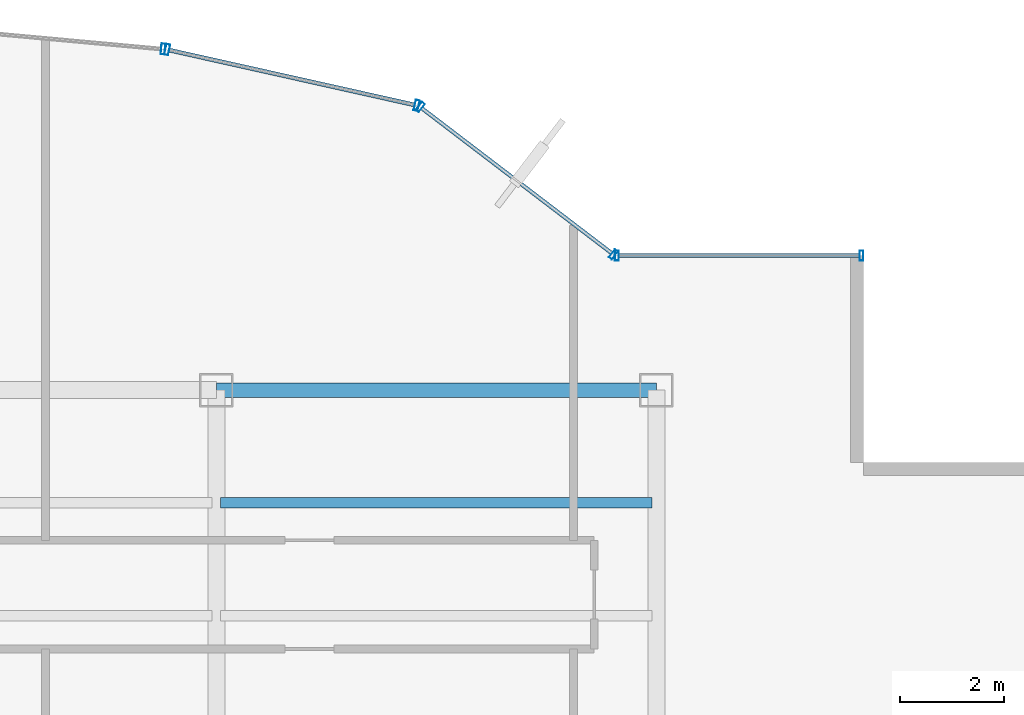
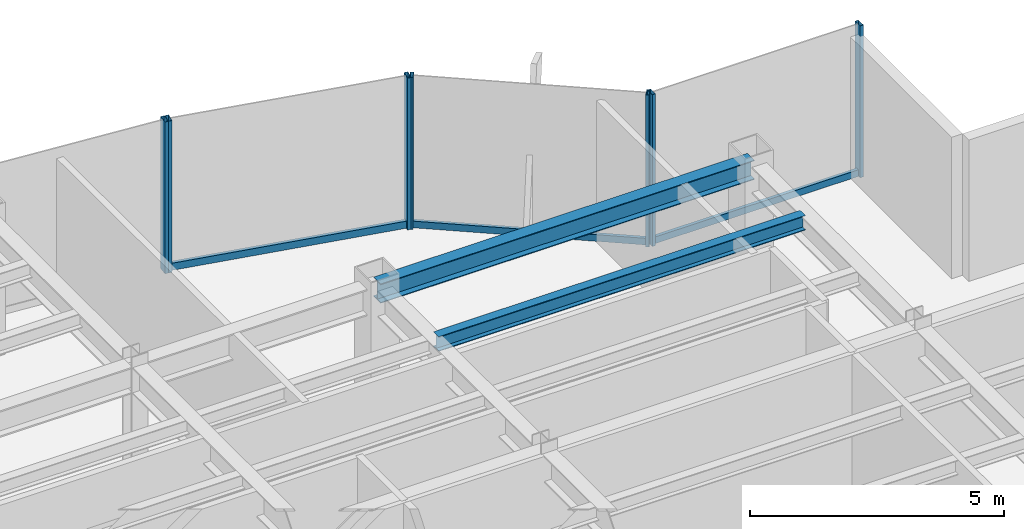
# One storey, part 17 of 25: 10 members, 2 beams, 4 elements without a shape of their own.
"""IFC4 building model written with IfcOpenShell, lengths in metres."""

from ifc_helpers import new_model, si_unit, derived_unit, direction, frame, origin, origin_2d, place, context, subcontext, project, spatial, hollow_rectangle, i_section, extrude, source, transform, mapped, material, material_profile, profile_set, type_object, element, aggregate, save


model = new_model("IFC4")

# Units and contexts
model_context = context("Model", 3, precision=1e-05, world=origin(), true_north=direction((0.0, 1.0)))
body_context = subcontext(model_context, "Body", "Model", "MODEL_VIEW")
ifc_project = project(units=[si_unit("LENGTHUNIT", "METRE"), si_unit("AREAUNIT", "SQUARE_METRE"), si_unit("VOLUMEUNIT", "CUBIC_METRE"), si_unit("PLANEANGLEUNIT", "RADIAN"), si_unit("MASSUNIT", "GRAM", prefix="KILO"), derived_unit("THERMALTRANSMITTANCEUNIT", [(si_unit("POWERUNIT", "WATT"), 1), (si_unit("LENGTHUNIT", "METRE"), -2), (si_unit("THERMODYNAMICTEMPERATUREUNIT", "KELVIN"), -1)])], contexts=[model_context])

# Site, building, storey
site_placement = place(None, origin())
site = spatial("IfcSite", under=ifc_project, at=site_placement, CompositionType="ELEMENT")
building_placement = place(site_placement, origin())
building = spatial("IfcBuilding", under=site, at=building_placement, Name="Skarnbrae Concourse Arena and Tower", CompositionType="ELEMENT")
storey_placement = place(building_placement, frame((0.0, 0.0, 158.85009765625)))
storey = spatial("IfcBuildingStorey", under=building, at=storey_placement, Name="L40", CompositionType="ELEMENT", Elevation=158.85009765625)

# Beams
ifc_material_1 = material(Name="Steel CSA G40.21 350W", Category="steel")
ifc_material_profile_1 = material_profile(ifc_material_1, i_section(OverallWidth=0.280029296875, OverallDepth=0.462890625, WebThickness=0.0107421875, FlangeThickness=0.017333984375, at=origin_2d()), Name="W460X113")
ifc_profile_set_1 = profile_set([ifc_material_profile_1], Name="Steel CSA G40.21 350W")
beam_type_1 = type_object("IfcBeamType", Name="BM-SPAN-W460X113", PredefinedType="SPANDREL", material=ifc_profile_set_1)
shared_shape_1 = source(origin(), body_context, "Body", "SweptSolid", [
    extrude(i_section(OverallWidth=0.280029296875, OverallDepth=0.462890625, WebThickness=0.0107421875, FlangeThickness=0.017333984375, at=origin_2d()), origin(), (0.0, 0.0, 1.0), 8.5),
])
beam_1_placement = place(storey_placement, frame((33.5, 34.39990234375, 3.16845703125), z_axis=(1.0, 0.0, 0.0), x_axis=(0.0, 1.0, 0.0)))
element("IfcBeam", 1, at=beam_1_placement, inside=storey, type_object=beam_type_1, Name="L40 Perimeter spandrel Y34.4-5", PredefinedType="SPANDREL", context=body_context, shape_type="MappedRepresentation", body=[
    mapped(shared_shape_1, transform((0.0, 0.0, 0.0))),
])
ifc_material_profile_2 = material_profile(ifc_material_1, i_section(OverallWidth=0.205078125, OverallDepth=0.35400390625, WebThickness=0.009521484375, FlangeThickness=0.016845703125, at=origin_2d()), Name="W360X79")
ifc_profile_set_2 = profile_set([ifc_material_profile_2], Name="Steel CSA G40.21 350W")
beam_type_2 = type_object("IfcBeamType", Name="BM-JOIST-W360X79", PredefinedType="JOIST", material=ifc_profile_set_2)
shared_shape_2 = source(origin(), body_context, "Body", "SweptSolid", [
    extrude(i_section(OverallWidth=0.205078125, OverallDepth=0.35400390625, WebThickness=0.009521484375, FlangeThickness=0.016845703125, at=origin_2d()), origin(), (0.0, 0.0, 1.0), 8.33984375),
])
beam_2_placement = place(storey_placement, frame((33.580078125, 32.221923828125, 3.222900390625), z_axis=(1.0, 0.0, 0.0), x_axis=(0.0, 1.0, 0.0)))
element("IfcBeam", 2, at=beam_2_placement, inside=storey, type_object=beam_type_2, Name="L40 Secondary floor joist 3.2.5", PredefinedType="JOIST", context=body_context, shape_type="MappedRepresentation", body=[
    mapped(shared_shape_2, transform((0.0, 0.0, 0.0))),
])

# Curtain wall, members
ifc_material_2 = material(Name="Bronze anodised aluminium 6063-T6", Category="aluminium")
curtain_wall_type_1 = type_object("IfcCurtainWallType", Name="CW-SYS-03-PORTAL", PredefinedType="USERDEFINED", material=ifc_material_2)
curtain_wall_1_placement = place(storey_placement, origin())
curtain_wall_1 = element("IfcCurtainWall", 3, at=curtain_wall_1_placement, inside=storey, type_object=curtain_wall_type_1, Name="L40 Unitised curtain wall CW-L40-E09", ObjectType="UNITISED CURTAIN WALL", PredefinedType="USERDEFINED")
ifc_material_profile_3 = material_profile(ifc_material_2, hollow_rectangle(XDim=0.080078125, YDim=0.2099609375, WallThickness=0.00439453125, at=origin_2d()), Name="ALU-MULL-80X210")
ifc_profile_set_3 = profile_set([ifc_material_profile_3], Name="Bronze anodised aluminium 6063-T6")
member_type_1 = type_object("IfcMemberType", Name="CWM-CW-03", PredefinedType="MULLION", material=ifc_profile_set_3)
shared_shape_3 = source(origin(), body_context, "Body", "SweptSolid", [
    extrude(hollow_rectangle(XDim=0.080078125, YDim=0.2099609375, WallThickness=0.00439453125, at=origin_2d()), origin(), (0.0, 0.0, 1.0), 3.64990234375),
])
member_1_placement = place(storey_placement, frame((37.37060546875, 39.9013671875, 0.0), z_axis=(0.0, 0.0, 1.0), x_axis=(-0.975936175393, 0.218056372433, 0.0)))
member_1 = element("IfcMember", 4, at=member_1_placement, type_object=member_type_1, Name="CW-L40-E09 Mullion 1", PredefinedType="MULLION", context=body_context, shape_type="MappedRepresentation", body=[
    mapped(shared_shape_3, transform((0.0, 0.0, 0.0))),
])
member_2_placement = place(storey_placement, frame((32.55126953125, 40.978271484375, 0.0), z_axis=(0.0, 0.0, 1.0), x_axis=(-0.975936175393, 0.218056372433, 0.0)))
member_2 = element("IfcMember", 5, at=member_2_placement, type_object=member_type_1, Name="CW-L40-E09 Mullion 2", PredefinedType="MULLION", context=body_context, shape_type="MappedRepresentation", body=[
    mapped(shared_shape_3, transform((0.0, 0.0, 0.0))),
])

# Curtain wall, member
curtain_wall_2_placement = place(storey_placement, origin())
curtain_wall_2 = element("IfcCurtainWall", 6, at=curtain_wall_2_placement, inside=storey, type_object=curtain_wall_type_1, Name="L40 Unitised curtain wall CW-L40-E10", ObjectType="UNITISED CURTAIN WALL", PredefinedType="USERDEFINED")
member_3_placement = place(storey_placement, frame((32.472412109375, 40.990478515625, 0.0), z_axis=(0.0, 0.0, 1.0), x_axis=(-0.995819926016, 0.091338244731, 0.0)))
member_3 = element("IfcMember", 7, at=member_3_placement, type_object=member_type_1, Name="CW-L40-E10 Mullion 1", PredefinedType="MULLION", context=body_context, shape_type="MappedRepresentation", body=[
    mapped(shared_shape_3, transform((0.0, 0.0, 0.0))),
])
aggregate(curtain_wall_2, [member_3])

# Curtain wall, members
curtain_wall_type_2 = type_object("IfcCurtainWallType", Name="CW-SYS-04-MIDZONE", PredefinedType="USERDEFINED", material=ifc_material_2)
curtain_wall_3_placement = place(storey_placement, origin())
curtain_wall_3 = element("IfcCurtainWall", 8, at=curtain_wall_3_placement, inside=storey, type_object=curtain_wall_type_2, Name="L40 Unitised curtain wall CW-L40-E07", ObjectType="UNITISED CURTAIN WALL", PredefinedType="USERDEFINED")
ifc_material_profile_4 = material_profile(ifc_material_2, hollow_rectangle(XDim=0.074951171875, YDim=0.195068359375, WallThickness=0.00439453125, at=origin_2d()), Name="ALU-MULL-75X195")
ifc_profile_set_4 = profile_set([ifc_material_profile_4], Name="Bronze anodised aluminium 6063-T6")
member_type_2 = type_object("IfcMemberType", Name="CWM-CW-04", PredefinedType="MULLION", material=ifc_profile_set_4)
shared_shape_4 = source(origin(), body_context, "Body", "SweptSolid", [
    extrude(hollow_rectangle(XDim=0.074951171875, YDim=0.195068359375, WallThickness=0.00439453125, at=origin_2d()), origin(), (0.0, 0.0, 1.0), 3.64990234375),
])
member_4_placement = place(storey_placement, frame((45.96240234375, 37.0, 0.0), z_axis=(0.0, 0.0, 1.0), x_axis=(-1.0, 0.0, 0.0)))
member_4 = element("IfcMember", 9, at=member_4_placement, type_object=member_type_2, Name="CW-L40-E07 Mullion 1", PredefinedType="MULLION", context=body_context, shape_type="MappedRepresentation", body=[
    mapped(shared_shape_4, transform((0.0, 0.0, 0.0))),
])
member_5_placement = place(storey_placement, frame((41.237548828125, 37.0, 0.0), z_axis=(0.0, 0.0, 1.0), x_axis=(-1.0, 0.0, 0.0)))
member_5 = element("IfcMember", 10, at=member_5_placement, type_object=member_type_2, Name="CW-L40-E07 Mullion 2", PredefinedType="MULLION", context=body_context, shape_type="MappedRepresentation", body=[
    mapped(shared_shape_4, transform((0.0, 0.0, 0.0))),
])

curtain_wall_4_placement = place(storey_placement, origin())
curtain_wall_4 = element("IfcCurtainWall", 11, at=curtain_wall_4_placement, inside=storey, type_object=curtain_wall_type_2, Name="L40 Unitised curtain wall CW-L40-E08", ObjectType="UNITISED CURTAIN WALL", PredefinedType="USERDEFINED")
member_6_placement = place(storey_placement, frame((41.170166015625, 37.022705078125, 0.0), z_axis=(0.0, 0.0, 1.0), x_axis=(-0.794956000706, 0.606667089054, 0.0)))
member_6 = element("IfcMember", 12, at=member_6_placement, type_object=member_type_2, Name="CW-L40-E08 Mullion 1", PredefinedType="MULLION", context=body_context, shape_type="MappedRepresentation", body=[
    mapped(shared_shape_4, transform((0.0, 0.0, 0.0))),
])
member_7_placement = place(storey_placement, frame((37.439208984375, 39.869873046875, 0.0), z_axis=(0.0, 0.0, 1.0), x_axis=(-0.794956000706, 0.606667089054, 0.0)))
member_7 = element("IfcMember", 13, at=member_7_placement, type_object=member_type_2, Name="CW-L40-E08 Mullion 2", PredefinedType="MULLION", context=body_context, shape_type="MappedRepresentation", body=[
    mapped(shared_shape_4, transform((0.0, 0.0, 0.0))),
])

# Member
ifc_material_profile_5 = material_profile(ifc_material_2, hollow_rectangle(XDim=0.074951171875, YDim=0.159912109375, WallThickness=0.00439453125, at=origin_2d()), Name="ALU-TRAN-75X160")
ifc_profile_set_5 = profile_set([ifc_material_profile_5], Name="Bronze anodised aluminium 6063-T6")
member_type_3 = type_object("IfcMemberType", Name="CWT-CW-04", PredefinedType="USERDEFINED", material=ifc_profile_set_5)
shared_shape_5 = source(origin(), body_context, "Body", "SweptSolid", [
    extrude(hollow_rectangle(XDim=0.074951171875, YDim=0.159912109375, WallThickness=0.00439453125, at=origin_2d()), origin(), (0.0, 0.0, 1.0), 4.650146484375),
])
member_8_placement = place(storey_placement, frame((45.925048828125, 37.0, 0.079833984375), z_axis=(-1.0, 0.0, 0.0), x_axis=(0.0, -1.0, 0.0)))
member_8 = element("IfcMember", 14, at=member_8_placement, type_object=member_type_3, Name="CW-L40-E07 Transom 1", ObjectType="TRANSOM", PredefinedType="USERDEFINED", context=body_context, shape_type="MappedRepresentation", body=[
    mapped(shared_shape_5, transform((0.0, 0.0, 0.0))),
])

aggregate(curtain_wall_3, [member_4, member_5, member_8])

shared_shape_6 = source(origin(), body_context, "Body", "SweptSolid", [
    extrude(hollow_rectangle(XDim=0.074951171875, YDim=0.159912109375, WallThickness=0.00439453125, at=origin_2d()), origin(), (0.0, 0.0, 1.0), 4.618408203125),
])
member_9_placement = place(storey_placement, frame((41.140380859375, 37.04541015625, 0.079833984375), z_axis=(-0.794960638756, 0.606661011462, 0.0), x_axis=(-0.606661011462, -0.794960638756, 0.0)))
member_9 = element("IfcMember", 15, at=member_9_placement, type_object=member_type_3, Name="CW-L40-E08 Transom 1", ObjectType="TRANSOM", PredefinedType="USERDEFINED", context=body_context, shape_type="MappedRepresentation", body=[
    mapped(shared_shape_6, transform((0.0, 0.0, 0.0))),
])

aggregate(curtain_wall_4, [member_6, member_7, member_9])

ifc_material_profile_6 = material_profile(ifc_material_2, hollow_rectangle(XDim=0.080078125, YDim=0.169921875, WallThickness=0.00439453125, at=origin_2d()), Name="ALU-TRAN-80X170")
ifc_profile_set_6 = profile_set([ifc_material_profile_6], Name="Bronze anodised aluminium 6063-T6")
member_type_4 = type_object("IfcMemberType", Name="CWT-CW-03", PredefinedType="USERDEFINED", material=ifc_profile_set_6)
shared_shape_7 = source(origin(), body_context, "Body", "SweptSolid", [
    extrude(hollow_rectangle(XDim=0.080078125, YDim=0.169921875, WallThickness=0.00439453125, at=origin_2d()), origin(), (0.0, 0.0, 1.0), 4.85791015625),
])
member_10_placement = place(storey_placement, frame((37.331298828125, 39.91015625, 0.0849609375), z_axis=(-0.975934527506, 0.21806374761, 0.0), x_axis=(-0.21806374761, -0.975934527506, 0.0)))
member_10 = element("IfcMember", 16, at=member_10_placement, type_object=member_type_4, Name="CW-L40-E09 Transom 1", ObjectType="TRANSOM", PredefinedType="USERDEFINED", context=body_context, shape_type="MappedRepresentation", body=[
    mapped(shared_shape_7, transform((0.0, 0.0, 0.0))),
])

aggregate(curtain_wall_1, [member_1, member_2, member_10])

save(model, "model.ifc")
